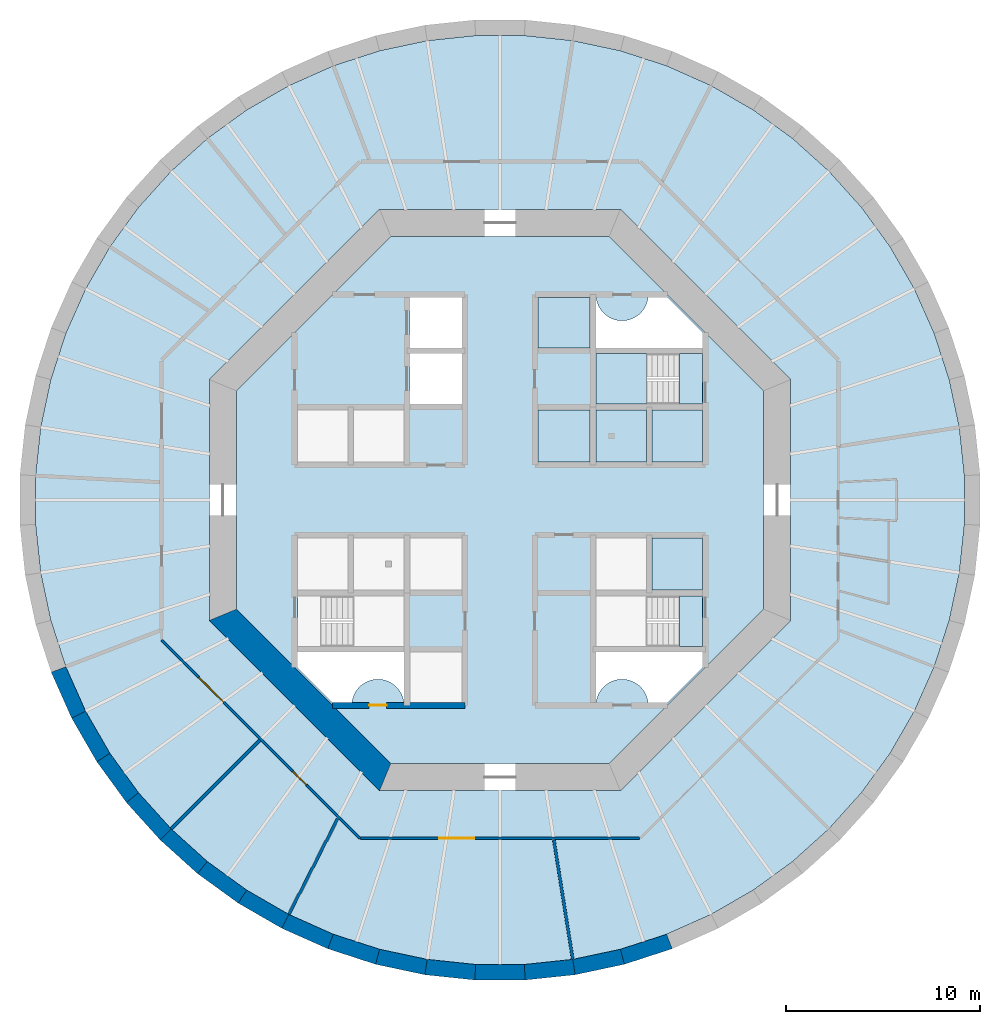
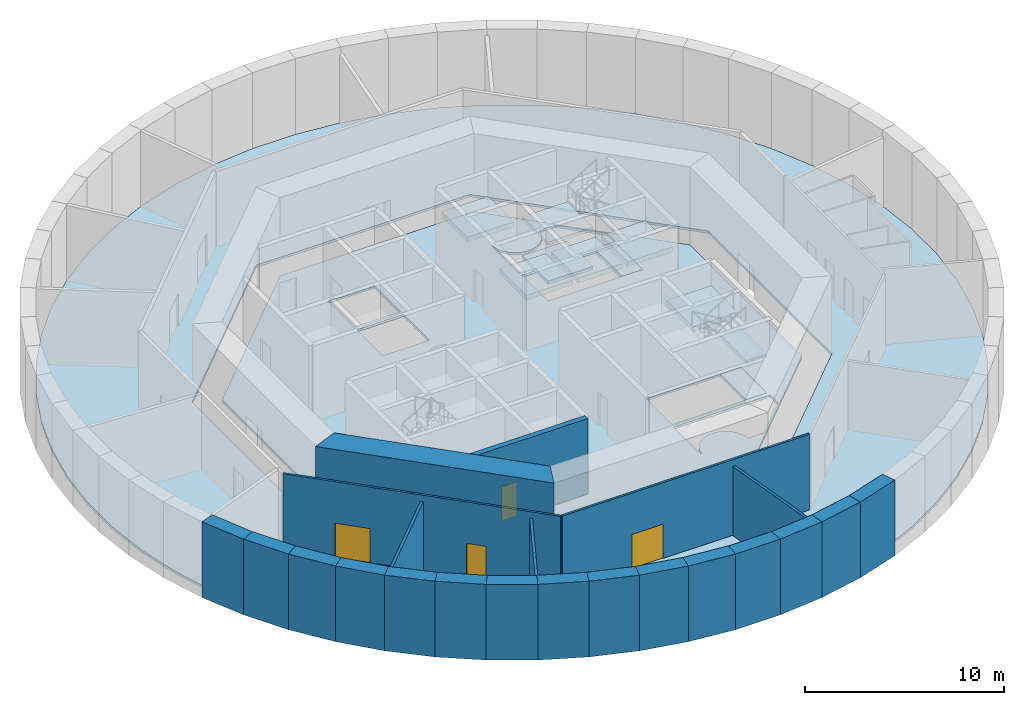
# One storey, part 2 of 7: 22 walls, 13 slabs, 4 doors, 4 openings, 2 elements without a shape of their own.
"""IFC4 building model written with IfcOpenShell, lengths in metres."""

from ifc_helpers import new_model, si_unit, direction, frame, frame_2d, origin, place, context, subcontext, project, spatial, polyline, rectangle, outline, extrude, material, layer, layer_set, type_object, element, fill, aggregate, save


model = new_model("IFC4")

# Units and contexts
model_context = context("Model", 3, precision=1e-05, world=origin(), true_north=direction((0.0, 1.0)))
body_context = subcontext(model_context, "Body", "Model", "MODEL_VIEW")
ifc_project = project(units=[si_unit("LENGTHUNIT", "METRE"), si_unit("AREAUNIT", "SQUARE_METRE"), si_unit("VOLUMEUNIT", "CUBIC_METRE"), si_unit("PLANEANGLEUNIT", "RADIAN"), si_unit("MASSUNIT", "GRAM", prefix="KILO")], contexts=[model_context])

# Site, building, storey
site_placement = place(None, origin())
site = spatial("IfcSite", under=ifc_project, at=site_placement, CompositionType="ELEMENT")
building_placement = place(site_placement, origin())
building = spatial("IfcBuilding", under=site, at=building_placement, Name="Entoto Ring Tower", CompositionType="ELEMENT")
storey_placement = place(building_placement, frame((0.0, 0.0, -4.800048828125)))
storey = spatial("IfcBuildingStorey", under=building, at=storey_placement, Name="B1", CompositionType="ELEMENT", Elevation=-4.800048828125)

# Slabs
ifc_material_1 = material(Name="Concrete C30/37", Category="concrete")
ifc_layer_1 = layer(ifc_material_1, 0.14990234375)
ifc_layer_set_1 = layer_set([ifc_layer_1], Name="Concrete C30/37")
slab_type_1 = type_object("IfcSlabType", Name="Composite floor slab 150 mm", PredefinedType="FLOOR", material=ifc_layer_set_1)
slab_1_placement = place(storey_placement, frame((0.0, 0.0, -0.14990234375)))
element("IfcSlab", 1, at=slab_1_placement, inside=storey, type_object=slab_type_1, Name="Floor slab B1", PredefinedType="FLOOR", context=body_context, shape_type="SweptSolid", body=[
    extrude(outline(polyline([(113.70458984375, 83.75439453125), (113.18212890625, 86.211669921875), (112.406005859375, 88.600830078125), (111.38427734375, 90.895751953125), (110.128173828125, 93.0712890625), (108.651611328125, 95.103759765625), (106.970458984375, 96.970458984375), (105.103759765625, 98.651611328125), (103.0712890625, 100.128173828125), (100.895751953125, 101.38427734375), (98.600830078125, 102.406005859375), (96.211669921875, 103.18212890625), (93.75439453125, 103.70458984375), (91.256103515625, 103.967041015625), (88.743896484375, 103.967041015625), (86.24560546875, 103.70458984375), (83.788330078125, 103.18212890625), (81.399169921875, 102.406005859375), (79.104248046875, 101.38427734375), (76.9287109375, 100.128173828125), (74.896240234375, 98.651611328125), (73.029541015625, 96.970458984375), (71.348388671875, 95.103759765625), (69.871826171875, 93.0712890625), (68.61572265625, 90.895751953125), (67.593994140625, 88.600830078125), (66.81787109375, 86.211669921875), (66.29541015625, 83.75439453125), (66.032958984375, 81.256103515625), (66.032958984375, 78.743896484375), (66.29541015625, 76.24560546875), (66.81787109375, 73.788330078125), (67.593994140625, 71.399169921875), (68.61572265625, 69.104248046875), (69.871826171875, 66.9287109375), (71.348388671875, 64.896240234375), (73.029541015625, 63.029541015625), (74.896240234375, 61.348388671875), (76.9287109375, 59.871826171875), (79.104248046875, 58.61572265625), (81.399169921875, 57.593994140625), (83.788330078125, 56.81787109375), (86.24560546875, 56.29541015625), (88.743896484375, 56.032958984375), (91.256103515625, 56.032958984375), (93.75439453125, 56.29541015625), (96.211669921875, 56.81787109375), (98.600830078125, 57.593994140625), (100.895751953125, 58.61572265625), (103.0712890625, 59.871826171875), (105.103759765625, 61.348388671875), (106.970458984375, 63.029541015625), (108.651611328125, 64.896240234375), (110.128173828125, 66.9287109375), (111.38427734375, 69.104248046875), (112.406005859375, 71.399169921875), (113.18212890625, 73.788330078125), (113.70458984375, 76.24560546875), (113.967041015625, 78.743896484375), (113.967041015625, 81.256103515625), (113.70458984375, 83.75439453125)]), holes=[polyline([(105.0, 73.786865234375), (105.0, 86.213134765625), (96.213134765625, 95.0), (83.786865234375, 95.0), (75.0, 86.213134765625), (75.0, 73.786865234375), (83.786865234375, 65.0), (96.213134765625, 65.0), (105.0, 73.786865234375)])]), origin(), (0.0, 0.0, 1.0), 0.14990234375),
])
ifc_material_2 = material(Name="Concrete C40/50", Category="concrete")
ifc_layer_2 = layer(ifc_material_2, 0.14990234375)
ifc_layer_set_2 = layer_set([ifc_layer_2], Name="Concrete C40/50")
slab_type_2 = type_object("IfcSlabType", Name="Core floor slab 150 mm reinforced concrete C40/50", PredefinedType="FLOOR", material=ifc_layer_set_2)
slab_2_placement = place(storey_placement, frame((0.0, 0.0, -0.14990234375)))
element("IfcSlab", 2, at=slab_2_placement, inside=storey, type_object=slab_type_2, Name="Core floor B1", PredefinedType="FLOOR", context=body_context, shape_type="SweptSolid", body=[
    extrude(outline(polyline([(103.60009765625, 74.36669921875), (103.60009765625, 85.63330078125), (95.63330078125, 93.60009765625), (84.36669921875, 93.60009765625), (76.39990234375, 85.63330078125), (76.39990234375, 74.36669921875), (84.36669921875, 66.39990234375), (95.63330078125, 66.39990234375), (103.60009765625, 74.36669921875)]), holes=[polyline([(100.449951171875, 84.949951171875), (100.449951171875, 87.550048828125), (94.949951171875, 87.550048828125), (94.949951171875, 84.949951171875), (100.449951171875, 84.949951171875)]), polyline([(85.050048828125, 72.449951171875), (85.050048828125, 75.050048828125), (79.550048828125, 75.050048828125), (79.550048828125, 72.449951171875), (85.050048828125, 72.449951171875)]), polyline([(100.449951171875, 72.449951171875), (100.449951171875, 75.050048828125), (94.949951171875, 75.050048828125), (94.949951171875, 72.449951171875), (100.449951171875, 72.449951171875)]), polyline([(85.35009765625, 84.949951171875), (88.050048828125, 84.949951171875), (88.050048828125, 87.550048828125), (85.35009765625, 87.550048828125), (85.35009765625, 84.949951171875)]), polyline([(85.35009765625, 87.85009765625), (88.050048828125, 87.85009765625), (88.050048828125, 90.449951171875), (85.35009765625, 90.449951171875), (85.35009765625, 87.85009765625)]), polyline([(94.89990234375, 90.5), (94.89990234375, 87.800048828125), (100.5, 87.800048828125), (100.5, 88.591796875), (98.591796875, 90.5), (97.64501953125, 90.5), (97.6435546875, 90.4677734375), (97.6240234375, 90.336669921875), (97.591796875, 90.2080078125), (97.547119140625, 90.08349609375), (97.490478515625, 89.963623046875), (97.422607421875, 89.85009765625), (97.343505859375, 89.74365234375), (97.254638671875, 89.6455078125), (97.156494140625, 89.556396484375), (97.050048828125, 89.4775390625), (96.936279296875, 89.409423828125), (96.816650390625, 89.352783203125), (96.69189453125, 89.30810546875), (96.5634765625, 89.27587890625), (96.432373046875, 89.256591796875), (96.300048828125, 89.25), (96.167724609375, 89.256591796875), (96.03662109375, 89.27587890625), (95.908203125, 89.30810546875), (95.783447265625, 89.352783203125), (95.66357421875, 89.409423828125), (95.550048828125, 89.4775390625), (95.443603515625, 89.556396484375), (95.345458984375, 89.6455078125), (95.25634765625, 89.74365234375), (95.177490234375, 89.85009765625), (95.109375, 89.963623046875), (95.052734375, 90.08349609375), (95.008056640625, 90.2080078125), (94.975830078125, 90.336669921875), (94.95654296875, 90.4677734375), (94.954833984375, 90.5), (94.89990234375, 90.5)]), polyline([(79.5, 71.408203125), (81.408203125, 69.5), (82.35498046875, 69.5), (82.3564453125, 69.5322265625), (82.3759765625, 69.663330078125), (82.408203125, 69.7919921875), (82.452880859375, 69.91650390625), (82.509521484375, 70.036376953125), (82.577392578125, 70.14990234375), (82.656494140625, 70.25634765625), (82.745361328125, 70.3544921875), (82.843505859375, 70.443603515625), (82.949951171875, 70.5224609375), (83.063720703125, 70.590576171875), (83.183349609375, 70.647216796875), (83.30810546875, 70.69189453125), (83.4365234375, 70.72412109375), (83.567626953125, 70.743408203125), (83.699951171875, 70.75), (83.832275390625, 70.743408203125), (83.96337890625, 70.72412109375), (84.091796875, 70.69189453125), (84.216552734375, 70.647216796875), (84.33642578125, 70.590576171875), (84.449951171875, 70.5224609375), (84.556396484375, 70.443603515625), (84.654541015625, 70.3544921875), (84.74365234375, 70.25634765625), (84.822509765625, 70.14990234375), (84.890625, 70.036376953125), (84.947265625, 69.91650390625), (84.991943359375, 69.7919921875), (85.024169921875, 69.663330078125), (85.04345703125, 69.5322265625), (85.045166015625, 69.5), (85.10009765625, 69.5), (85.10009765625, 72.199951171875), (79.5, 72.199951171875), (79.5, 71.408203125)]), polyline([(97.64501953125, 69.5), (98.591796875, 69.5), (100.5, 71.408203125), (100.5, 72.199951171875), (94.89990234375, 72.199951171875), (94.89990234375, 69.5), (94.954833984375, 69.5), (94.95654296875, 69.5322265625), (94.975830078125, 69.663330078125), (95.008056640625, 69.7919921875), (95.052734375, 69.91650390625), (95.109375, 70.036376953125), (95.177490234375, 70.14990234375), (95.25634765625, 70.25634765625), (95.345458984375, 70.3544921875), (95.443603515625, 70.443603515625), (95.550048828125, 70.5224609375), (95.66357421875, 70.590576171875), (95.783447265625, 70.647216796875), (95.908203125, 70.69189453125), (96.03662109375, 70.72412109375), (96.167724609375, 70.743408203125), (96.300048828125, 70.75), (96.432373046875, 70.743408203125), (96.5634765625, 70.72412109375), (96.69189453125, 70.69189453125), (96.816650390625, 70.647216796875), (96.936279296875, 70.590576171875), (97.050048828125, 70.5224609375), (97.156494140625, 70.443603515625), (97.254638671875, 70.3544921875), (97.343505859375, 70.25634765625), (97.422607421875, 70.14990234375), (97.490478515625, 70.036376953125), (97.547119140625, 69.91650390625), (97.591796875, 69.7919921875), (97.6240234375, 69.663330078125), (97.6435546875, 69.5322265625), (97.64501953125, 69.5)])]), origin(), (0.0, 0.0, 1.0), 0.14990234375),
])
ifc_material_3 = material(Name="Concrete C40/50", Category="concrete")
ifc_layer_3 = layer(ifc_material_3, 0.300048828125)
ifc_layer_set_3 = layer_set([ifc_layer_3], Name="Concrete C40/50")
slab_type_3 = type_object("IfcSlabType", Name="Lift pit floor 300 mm reinforced concrete", PredefinedType="FLOOR", material=ifc_layer_set_3)
slab_3_placement = place(storey_placement, frame((0.0, 0.0, 2.900146484375)))
element("IfcSlab", 3, at=slab_3_placement, inside=storey, type_object=slab_type_3, Name="Pit floor LB1-LR", PredefinedType="FLOOR", context=body_context, shape_type="SweptSolid", body=[
    extrude(outline(polyline([(97.550048828125, 81.949951171875), (97.550048828125, 84.64990234375), (94.949951171875, 84.64990234375), (94.949951171875, 81.949951171875), (97.550048828125, 81.949951171875)])), origin(), (0.0, 0.0, 1.0), 0.2998046875),
])
slab_4_placement = place(storey_placement, frame((0.0, 0.0, 2.900146484375)))
element("IfcSlab", 4, at=slab_4_placement, inside=storey, type_object=slab_type_3, Name="Pit floor LB2-LR", PredefinedType="FLOOR", context=body_context, shape_type="SweptSolid", body=[
    extrude(outline(polyline([(100.449951171875, 81.949951171875), (100.449951171875, 84.64990234375), (97.85009765625, 84.64990234375), (97.85009765625, 81.949951171875), (100.449951171875, 81.949951171875)])), origin(), (0.0, 0.0, 1.0), 0.2998046875),
])
slab_5_placement = place(storey_placement, frame((0.0, 0.0, 2.900146484375)))
element("IfcSlab", 5, at=slab_5_placement, inside=storey, type_object=slab_type_3, Name="Pit floor LB5-LR", PredefinedType="FLOOR", context=body_context, shape_type="SweptSolid", body=[
    extrude(outline(polyline([(100.449951171875, 75.35009765625), (100.449951171875, 78.050048828125), (97.85009765625, 78.050048828125), (97.85009765625, 75.35009765625), (100.449951171875, 75.35009765625)])), origin(), (0.0, 0.0, 1.0), 0.2998046875),
])
slab_6_placement = place(storey_placement, frame((0.0, 0.0, 2.900146484375)))
element("IfcSlab", 6, at=slab_6_placement, inside=storey, type_object=slab_type_3, Name="Pit floor SH3", PredefinedType="FLOOR", context=body_context, shape_type="SweptSolid", body=[
    extrude(outline(polyline([(94.64990234375, 87.85009765625), (94.64990234375, 90.449951171875), (91.949951171875, 90.449951171875), (91.949951171875, 87.85009765625), (94.64990234375, 87.85009765625)])), origin(), (0.0, 0.0, 1.0), 0.2998046875),
])
slab_7_placement = place(storey_placement, frame((0.0, 0.0, 2.900146484375)))
element("IfcSlab", 7, at=slab_7_placement, inside=storey, type_object=slab_type_3, Name="Pit floor OB1", PredefinedType="FLOOR", context=body_context, shape_type="SweptSolid", body=[
    extrude(outline(polyline([(94.64990234375, 81.949951171875), (94.64990234375, 84.64990234375), (91.949951171875, 84.64990234375), (91.949951171875, 81.949951171875), (94.64990234375, 81.949951171875)])), origin(), (0.0, 0.0, 1.0), 0.2998046875),
])

# Stair, slabs
ifc_material_4 = material(Name="Concrete C40/50", Category="concrete")
stair_type = type_object("IfcStairType", Name="Exit stair 1200 mm dog-leg reinforced concrete", PredefinedType="HALF_TURN_STAIR", material=ifc_material_4)
stair_1_placement = place(storey_placement, origin())
stair_1 = element("IfcStair", 8, at=stair_1_placement, inside=storey, type_object=stair_type, Name="Exit stair 1", PredefinedType="HALF_TURN_STAIR")
ifc_material_5 = material(Name="Concrete C40/50", Category="concrete")
ifc_layer_4 = layer(ifc_material_5, 0.199951171875)
ifc_layer_set_4 = layer_set([ifc_layer_4], Name="Concrete C40/50")
slab_type_4 = type_object("IfcSlabType", Name="Stair landing 200 mm reinforced concrete", PredefinedType="LANDING", material=ifc_layer_set_4)
slab_8_placement = place(storey_placement, frame((0.0, 0.0, -0.199951171875)))
slab_8 = element("IfcSlab", 9, at=slab_8_placement, type_object=slab_type_4, Name="ST1 landing 1", PredefinedType="LANDING", context=body_context, shape_type="SweptSolid", body=[
    extrude(outline(polyline([(100.449951171875, 84.949951171875), (100.449951171875, 87.550048828125), (99.25, 87.550048828125), (99.25, 84.949951171875), (100.449951171875, 84.949951171875)])), origin(), (0.0, 0.0, 1.0), 0.199951171875),
])
slab_9_placement = place(storey_placement, frame((0.0, 0.0, 1.0)))
slab_9 = element("IfcSlab", 10, at=slab_9_placement, type_object=slab_type_4, Name="ST1 landing 2", PredefinedType="LANDING", context=body_context, shape_type="SweptSolid", body=[
    extrude(outline(polyline([(94.949951171875, 84.949951171875), (97.570068359375, 84.949951171875), (97.570068359375, 87.550048828125), (94.949951171875, 87.550048828125), (94.949951171875, 84.949951171875)])), origin(), (0.0, 0.0, 1.0), 0.199951171875),
])
slab_10_placement = place(storey_placement, frame((0.0, 0.0, 2.199951171875)))
slab_10 = element("IfcSlab", 11, at=slab_10_placement, type_object=slab_type_4, Name="ST1 landing 3", PredefinedType="LANDING", context=body_context, shape_type="SweptSolid", body=[
    extrude(outline(polyline([(99.25, 84.949951171875), (100.449951171875, 84.949951171875), (100.449951171875, 87.550048828125), (99.25, 87.550048828125), (99.25, 84.949951171875)])), origin(), (0.0, 0.0, 1.0), 0.2001953125),
])
slab_11_placement = place(storey_placement, frame((0.0, 0.0, 3.400146484375)))
slab_11 = element("IfcSlab", 12, at=slab_11_placement, type_object=slab_type_4, Name="ST1 landing 4", PredefinedType="LANDING", context=body_context, shape_type="SweptSolid", body=[
    extrude(outline(polyline([(94.949951171875, 84.949951171875), (97.570068359375, 84.949951171875), (97.570068359375, 87.550048828125), (94.949951171875, 87.550048828125), (94.949951171875, 84.949951171875)])), origin(), (0.0, 0.0, 1.0), 0.199951171875),
])
aggregate(stair_1, [slab_8, slab_9, slab_10, slab_11])

stair_2_placement = place(storey_placement, origin())
stair_2 = element("IfcStair", 13, at=stair_2_placement, inside=storey, type_object=stair_type, Name="Exit stair 3", PredefinedType="HALF_TURN_STAIR")
slab_12_placement = place(storey_placement, frame((0.0, 0.0, -0.199951171875)))
slab_12 = element("IfcSlab", 14, at=slab_12_placement, type_object=slab_type_4, Name="ST3 landing 1", PredefinedType="LANDING", context=body_context, shape_type="SweptSolid", body=[
    extrude(outline(polyline([(100.449951171875, 72.449951171875), (100.449951171875, 75.050048828125), (99.25, 75.050048828125), (99.25, 72.449951171875), (100.449951171875, 72.449951171875)])), origin(), (0.0, 0.0, 1.0), 0.199951171875),
])
slab_13_placement = place(storey_placement, frame((0.0, 0.0, 2.199951171875)))
slab_13 = element("IfcSlab", 15, at=slab_13_placement, type_object=slab_type_4, Name="ST3 landing 3", PredefinedType="LANDING", context=body_context, shape_type="SweptSolid", body=[
    extrude(outline(polyline([(99.25, 72.449951171875), (100.449951171875, 72.449951171875), (100.449951171875, 75.050048828125), (99.25, 75.050048828125), (99.25, 72.449951171875)])), origin(), (0.0, 0.0, 1.0), 0.2001953125),
])
aggregate(stair_2, [slab_12, slab_13])

# Wall, opening, door
ifc_material_6 = material(Name="Concrete C40/50", Category="concrete")
ifc_layer_5 = layer(ifc_material_6, 0.300048828125)
ifc_layer_set_5 = layer_set([ifc_layer_5], Name="Concrete C40/50")
wall_type_1 = type_object("IfcWallType", Name="Core enclosure wall 300 mm reinforced concrete", PredefinedType="SOLIDWALL", material=ifc_layer_set_5)
wall_1_placement = place(storey_placement, frame((81.36669921875, 69.39990234375, 0.0), z_axis=(0.0, 0.0, 1.0), x_axis=(1.0, 0.0, 0.0)))
wall_1 = element("IfcWall", 16, at=wall_1_placement, inside=storey, type_object=wall_type_1, Name="wall-B1-019", PredefinedType="SOLIDWALL", context=body_context, shape_type="SweptSolid", body=[
    extrude(rectangle(XDim=6.833251953125, YDim=0.300048828125, at=frame_2d((3.41650390625, 0.0))), origin(), (0.0, 0.0, 1.0), 4.650146484375),
])
opening_1_placement = place(wall_1_placement, frame((1.88330078125, 0.0, 0.0)))
opening_1 = element("IfcOpeningElement", 17, at=opening_1_placement, cuts=wall_1, Name="Opening K-49", PredefinedType="OPENING", context=body_context, shape_type="SweptSolid", body=[
    extrude(rectangle(XDim=0.89990234375, YDim=2.10009765625, at=frame_2d((0.449951171875, 1.050048828125))), frame((0.0, 0.16015625, 0.0), z_axis=(0.0, -1.0, 0.0), x_axis=(1.0, 0.0, 0.0)), (0.0, 0.0, 1.0), 0.320068359375),
])
ifc_material_7 = material(Name="Steel door leaf, fire rated", Category="steel")
ifc_layer_6 = layer(ifc_material_7, 0.050048828125)
ifc_layer_set_6 = layer_set([ifc_layer_6], Name="Steel door leaf, fire rated")
door_type_1 = type_object("IfcDoorType", Name="Riser door FD60 900 x 2100 single leaf", OperationType="NOTDEFINED", PredefinedType="DOOR", material=ifc_layer_set_6)
door_1_placement = place(opening_1_placement, origin())
door_1 = element("IfcDoor", 18, at=door_1_placement, inside=storey, type_object=door_type_1, Name="Door K-49", OperationType="SINGLE_SWING_RIGHT", OverallHeight=2.10009765625, OverallWidth=0.89990234375, PredefinedType="DOOR", context=body_context, shape_type="SweptSolid", body=[
    extrude(rectangle(XDim=0.89990234375, YDim=2.10009765625, at=frame_2d((0.449951171875, 1.050048828125))), frame((0.0, 0.02490234375, 0.0), z_axis=(0.0, -1.0, 0.0), x_axis=(1.0, 0.0, 0.0)), (0.0, 0.0, 1.0), 0.050048828125),
])
fill(opening_1, door_1)

# Wall
ifc_material_8 = material(Name="Concrete C60/75", Category="concrete")
ifc_layer_7 = layer(ifc_material_8, 1.39990234375)
ifc_layer_set_7 = layer_set([ifc_layer_7], Name="Concrete C60/75")
wall_type_2 = type_object("IfcWallType", Name="Core shear wall 1400 mm reinforced concrete C60/75", PredefinedType="SHEAR", material=ifc_layer_set_7)
wall_2_placement = place(storey_placement, frame((75.699951171875, 74.07666015625, 0.0), z_axis=(0.0, 0.0, 1.0), x_axis=(0.707106781187, -0.707106781187, 0.0)))
element("IfcWall", 19, at=wall_2_placement, inside=storey, type_object=wall_type_2, Name="wall-B1-core-5", PredefinedType="SHEAR", context=body_context, shape_type="SweptSolid", body=[
    extrude(outline(polyline([(-0.2900390625, -0.699951171875), (12.136474609375, -0.699951171875), (11.556396484375, 0.699951171875), (0.2900390625, 0.699951171875), (-0.2900390625, -0.699951171875)])), origin(), (0.0, 0.0, 1.0), 4.800048828125),
])

# Wall, openings, doors
ifc_material_9 = material(Name="Fire-resisting plasterboard on steel studs", Category="steel")
ifc_layer_8 = layer(ifc_material_9, 0.125)
ifc_layer_set_8 = layer_set([ifc_layer_8], Name="Fire-resisting plasterboard on steel studs")
wall_type_3 = type_object("IfcWallType", Name="Corridor wall 125 mm one-hour plasterboard on steel studs", PredefinedType="PARTITIONING", material=ifc_layer_set_8)
wall_3_placement = place(storey_placement, frame((82.766845703125, 62.53759765625, 0.0), z_axis=(0.0, 0.0, 1.0), x_axis=(-0.707106781187, 0.707106781187, 0.0)))
wall_3 = element("IfcWall", 20, at=wall_3_placement, inside=storey, type_object=wall_type_3, Name="partition-B1-001", PredefinedType="PARTITIONING", context=body_context, shape_type="SweptSolid", body=[
    extrude(rectangle(XDim=14.46630859375, YDim=0.125, at=frame_2d((7.233154296875, 0.0))), origin(), (0.0, 0.0, 1.0), 4.650146484375),
])
opening_2_placement = place(wall_3_placement, frame((9.94970703125, 0.0, 0.0)))
opening_2 = element("IfcOpeningElement", 21, at=opening_2_placement, cuts=wall_3, Name="Opening B01-D08", PredefinedType="OPENING", context=body_context, shape_type="SweptSolid", body=[
    extrude(rectangle(XDim=1.800048828125, YDim=2.10009765625, at=frame_2d((0.89990234375, 1.050048828125))), frame((0.0, 0.072509765625, 0.0), z_axis=(0.0, -1.0, 0.0), x_axis=(1.0, 0.0, 0.0)), (0.0, 0.0, 1.0), 0.14501953125),
])
opening_3_placement = place(wall_3_placement, frame((3.896240234375, 0.0, 0.0)))
opening_3 = element("IfcOpeningElement", 22, at=opening_3_placement, cuts=wall_3, Name="Opening B01-D09", PredefinedType="OPENING", context=body_context, shape_type="SweptSolid", body=[
    extrude(rectangle(XDim=1.0, YDim=2.10009765625, at=frame_2d((0.5, 1.050048828125))), frame((0.0, 0.072509765625, 0.0), z_axis=(0.0, -1.0, 0.0), x_axis=(1.0, 0.0, 0.0)), (0.0, 0.0, 1.0), 0.14501953125),
])
ifc_material_10 = material(Name="Fire-resisting timber door set", Category="wood")
door_type_2 = type_object("IfcDoorType", Name="Door 1000 x 2100 single leaf FD30S fire door", OperationType="NOTDEFINED", PredefinedType="DOOR", material=ifc_material_10)
door_2_placement = place(opening_3_placement, origin())
door_2 = element("IfcDoor", 23, at=door_2_placement, inside=storey, type_object=door_type_2, Name="Door B01-D09", OperationType="SINGLE_SWING_RIGHT", OverallHeight=2.10009765625, OverallWidth=1.0, PredefinedType="DOOR", context=body_context, shape_type="SweptSolid", body=[
    extrude(rectangle(XDim=1.0, YDim=2.10009765625, at=frame_2d((0.5, 1.050048828125))), frame((0.0, 0.02490234375, 0.0), z_axis=(0.0, -1.0, 0.0), x_axis=(1.0, 0.0, 0.0)), (0.0, 0.0, 1.0), 0.050048828125),
])
fill(opening_3, door_2)
ifc_material_11 = material(Name="Fire-resisting timber door set", Category="wood")
door_type_3 = type_object("IfcDoorType", Name="Door 1800 x 2100 double leaf FD30S fire door", OperationType="DOUBLE_DOOR_SINGLE_SWING", PredefinedType="DOOR", material=ifc_material_11)
door_3_placement = place(opening_2_placement, origin())
door_3 = element("IfcDoor", 24, at=door_3_placement, inside=storey, type_object=door_type_3, Name="Door B01-D08", OperationType="DOUBLE_DOOR_SINGLE_SWING", OverallHeight=2.10009765625, OverallWidth=1.800048828125, PredefinedType="DOOR", context=body_context, shape_type="SweptSolid", body=[
    extrude(rectangle(XDim=1.800048828125, YDim=2.10009765625, at=frame_2d((0.89990234375, 1.050048828125))), frame((0.0, 0.02490234375, 0.0), z_axis=(0.0, -1.0, 0.0), x_axis=(1.0, 0.0, 0.0)), (0.0, 0.0, 1.0), 0.050048828125),
])
fill(opening_2, door_3)

# Wall, opening, door
wall_4_placement = place(storey_placement, frame((82.810791015625, 62.53759765625, 0.0), z_axis=(0.0, 0.0, 1.0), x_axis=(1.0, 0.0, 0.0)))
wall_4 = element("IfcWall", 25, at=wall_4_placement, inside=storey, type_object=wall_type_3, Name="partition-B1-003", PredefinedType="PARTITIONING", context=body_context, shape_type="SweptSolid", body=[
    extrude(rectangle(XDim=14.37841796875, YDim=0.125, at=frame_2d((7.189208984375, 0.0))), origin(), (0.0, 0.0, 1.0), 4.650146484375),
])
opening_4_placement = place(wall_4_placement, frame((4.0556640625, 0.0, 0.0)))
opening_4 = element("IfcOpeningElement", 26, at=opening_4_placement, cuts=wall_4, Name="Opening B01-D10", PredefinedType="OPENING", context=body_context, shape_type="SweptSolid", body=[
    extrude(rectangle(XDim=1.800048828125, YDim=2.10009765625, at=frame_2d((0.89990234375, 1.050048828125))), frame((0.0, 0.072509765625, 0.0), z_axis=(0.0, -1.0, 0.0), x_axis=(1.0, 0.0, 0.0)), (0.0, 0.0, 1.0), 0.14501953125),
])
door_4_placement = place(opening_4_placement, frame((1.800048828125, 0.0, 0.0), z_axis=(0.0, 0.0, 1.0), x_axis=(-1.0, 0.0, 0.0)))
door_4 = element("IfcDoor", 27, at=door_4_placement, inside=storey, type_object=door_type_3, Name="Door B01-D10", OperationType="DOUBLE_DOOR_SINGLE_SWING", OverallHeight=2.10009765625, OverallWidth=1.800048828125, PredefinedType="DOOR", context=body_context, shape_type="SweptSolid", body=[
    extrude(rectangle(XDim=1.800048828125, YDim=2.10009765625, at=frame_2d((0.89990234375, 1.050048828125))), frame((0.0, 0.02490234375, 0.0), z_axis=(0.0, -1.0, 0.0), x_axis=(1.0, 0.0, 0.0)), (0.0, 0.0, 1.0), 0.050048828125),
])
fill(opening_4, door_4)

# Walls
ifc_material_12 = material(Name="Fire-resisting acoustic plasterboard on steel studs", Category="steel")
ifc_layer_9 = layer(ifc_material_12, 0.14990234375)
ifc_layer_set_9 = layer_set([ifc_layer_9], Name="Fire-resisting acoustic plasterboard on steel studs")
wall_type_4 = type_object("IfcWallType", Name="Party wall 150 mm one-hour acoustic plasterboard on steel studs, 4250 mm high", PredefinedType="PARTITIONING", material=ifc_layer_set_9)
wall_5_placement = place(storey_placement, frame((73.032958984375, 63.032958984375, 0.0), z_axis=(0.0, 0.0, 1.0), x_axis=(0.707106781187, 0.707106781187, 0.0)))
element("IfcWall", 28, at=wall_5_placement, inside=storey, type_object=wall_type_4, Name="partition-B1-006", PredefinedType="PARTITIONING", context=body_context, shape_type="SweptSolid", body=[
    extrude(rectangle(XDim=6.469970703125, YDim=0.14990234375, at=frame_2d((3.23486328125, 0.0))), origin(), (0.0, 0.0, 1.0), 4.25),
])
wall_6_placement = place(storey_placement, frame((93.753662109375, 56.30029296875, 0.0), z_axis=(0.0, 0.0, 1.0), x_axis=(-0.156424662984, 0.987689893038, 0.0)))
element("IfcWall", 29, at=wall_6_placement, inside=storey, type_object=wall_type_4, Name="partition-B1-008", PredefinedType="PARTITIONING", context=body_context, shape_type="SweptSolid", body=[
    extrude(rectangle(XDim=6.239990234375, YDim=0.14990234375, at=frame_2d((3.1201171875, 0.0))), origin(), (0.0, 0.0, 1.0), 4.25),
])
wall_7_placement = place(storey_placement, frame((79.1064453125, 58.620361328125, 0.0), z_axis=(0.0, 0.0, 1.0), x_axis=(0.453982513934, 0.891010593115, 0.0)))
element("IfcWall", 30, at=wall_7_placement, inside=storey, type_object=wall_type_4, Name="partition-B1-009", PredefinedType="PARTITIONING", context=body_context, shape_type="SweptSolid", body=[
    extrude(rectangle(XDim=5.5439453125, YDim=0.14990234375, at=frame_2d((2.77197265625, 0.0))), origin(), (0.0, 0.0, 1.0), 4.25),
])
ifc_material_13 = material(Name="Concrete C40/50", Category="concrete")
ifc_layer_10 = layer(ifc_material_13, 0.800048828125)
ifc_layer_set_10 = layer_set([ifc_layer_10], Name="Concrete C40/50")
wall_type_5 = type_object("IfcWallType", Name="Retaining wall 800 mm upper basement", PredefinedType="SOLIDWALL", material=ifc_layer_set_10)
for number, where, z_axis, x_axis, name in (
    (31, (67.22021484375, 71.255615234375, 0.0), (0.0, 0.0, 1.0), (0.406732610778, -0.913547252927, 0.0), "Retaining wall B1 33"),
    (32, (68.259033203125, 68.92236328125, 0.0), (0.0, 0.0, 1.0), (0.499943114462, -0.866058244174, 0.0), "Retaining wall B1 34"),
    (33, (69.535888671875, 66.71044921875, 0.0), (0.0, 0.0, 1.0), (0.587802181756, -0.809004694129, 0.0), "Retaining wall B1 35"),
):
    element("IfcWall", number, at=place(storey_placement, frame(where, z_axis=z_axis, x_axis=x_axis)), inside=storey, type_object=wall_type_5, Name=name, PredefinedType="SOLIDWALL", context=body_context, shape_type="SweptSolid", body=[
        extrude(outline(polyline([(-0.02099609375, -0.39990234375), (2.574951171875, -0.39990234375), (2.532958984375, 0.39990234375), (0.02099609375, 0.39990234375), (-0.02099609375, -0.39990234375)])), origin(), (0.0, 0.0, 1.0), 4.650146484375),
    ])
for number, where, z_axis, x_axis, name in (
    (34, (71.037109375, 64.644287109375, 0.0), (0.0, 0.0, 1.0), (0.669096744895, -0.74317531308, 0.0), "Retaining wall B1 36"),
    (35, (72.74609375, 62.74609375, 0.0), (0.0, 0.0, 1.0), (0.74317531308, -0.669096744895, 0.0), "Retaining wall B1 37"),
):
    element("IfcWall", number, at=place(storey_placement, frame(where, z_axis=z_axis, x_axis=x_axis)), inside=storey, type_object=wall_type_5, Name=name, PredefinedType="SOLIDWALL", context=body_context, shape_type="SweptSolid", body=[
        extrude(outline(polyline([(-0.02099609375, -0.39990234375), (2.5751953125, -0.39990234375), (2.533203125, 0.39990234375), (0.02099609375, 0.39990234375), (-0.02099609375, -0.39990234375)])), origin(), (0.0, 0.0, 1.0), 4.650146484375),
    ])
for number, where, z_axis, x_axis, name in (
    (36, (74.644287109375, 61.037109375, 0.0), (0.0, 0.0, 1.0), (0.809004694129, -0.587802181756, 0.0), "Retaining wall B1 38"),
    (37, (76.71044921875, 59.535888671875, 0.0), (0.0, 0.0, 1.0), (0.866058244174, -0.499943114462, 0.0), "Retaining wall B1 39"),
    (38, (78.92236328125, 58.259033203125, 0.0), (0.0, 0.0, 1.0), (0.913547252927, -0.406732610778, 0.0), "Retaining wall B1 40"),
    (39, (81.255615234375, 57.22021484375, 0.0), (0.0, 0.0, 1.0), (0.951046010282, -0.30904932669, 0.0), "Retaining wall B1 41"),
):
    element("IfcWall", number, at=place(storey_placement, frame(where, z_axis=z_axis, x_axis=x_axis)), inside=storey, type_object=wall_type_5, Name=name, PredefinedType="SOLIDWALL", context=body_context, shape_type="SweptSolid", body=[
        extrude(outline(polyline([(-0.02099609375, -0.39990234375), (2.574951171875, -0.39990234375), (2.532958984375, 0.39990234375), (0.02099609375, 0.39990234375), (-0.02099609375, -0.39990234375)])), origin(), (0.0, 0.0, 1.0), 4.650146484375),
    ])
wall_8_placement = place(storey_placement, frame((83.6845703125, 56.430908203125, 0.0), z_axis=(0.0, 0.0, 1.0), x_axis=(0.97814937544, -0.207903341306, 0.0)))
element("IfcWall", 40, at=wall_8_placement, inside=storey, type_object=wall_type_5, Name="Retaining wall B1 42", PredefinedType="SOLIDWALL", context=body_context, shape_type="SweptSolid", body=[
    extrude(outline(polyline([(-0.02099609375, -0.39990234375), (2.5751953125, -0.39990234375), (2.533203125, 0.39990234375), (0.02099609375, 0.39990234375), (-0.02099609375, -0.39990234375)])), origin(), (0.0, 0.0, 1.0), 4.650146484375),
])
wall_9_placement = place(storey_placement, frame((86.182861328125, 55.89990234375, 0.0), z_axis=(0.0, 0.0, 1.0), x_axis=(0.994516970058, -0.104575313845, 0.0)))
element("IfcWall", 41, at=wall_9_placement, inside=storey, type_object=wall_type_5, Name="Retaining wall B1 43", PredefinedType="SOLIDWALL", context=body_context, shape_type="SweptSolid", body=[
    extrude(outline(polyline([(-0.02099609375, -0.39990234375), (2.574951171875, -0.39990234375), (2.532958984375, 0.39990234375), (0.02099609375, 0.39990234375), (-0.02099609375, -0.39990234375)])), origin(), (0.0, 0.0, 1.0), 4.650146484375),
])
wall_10_placement = place(storey_placement, frame((88.722900390625, 55.6328125, 0.0), z_axis=(0.0, 0.0, 1.0), x_axis=(1.0, 0.0, 0.0)))
element("IfcWall", 42, at=wall_10_placement, inside=storey, type_object=wall_type_5, Name="Retaining wall B1 44", PredefinedType="SOLIDWALL", context=body_context, shape_type="SweptSolid", body=[
    extrude(outline(polyline([(-0.02099609375, -0.39990234375), (2.5751953125, -0.39990234375), (2.533203125, 0.39990234375), (0.02099609375, 0.39990234375), (-0.02099609375, -0.39990234375)])), origin(), (0.0, 0.0, 1.0), 4.650146484375),
])
wall_11_placement = place(storey_placement, frame((91.277099609375, 55.6328125, 0.0), z_axis=(0.0, 0.0, 1.0), x_axis=(0.994516970058, 0.104575313845, 0.0)))
element("IfcWall", 43, at=wall_11_placement, inside=storey, type_object=wall_type_5, Name="Retaining wall B1 45", PredefinedType="SOLIDWALL", context=body_context, shape_type="SweptSolid", body=[
    extrude(outline(polyline([(-0.02099609375, -0.39990234375), (2.574951171875, -0.39990234375), (2.532958984375, 0.39990234375), (0.02099609375, 0.39990234375), (-0.02099609375, -0.39990234375)])), origin(), (0.0, 0.0, 1.0), 4.650146484375),
])
wall_12_placement = place(storey_placement, frame((93.817138671875, 55.89990234375, 0.0), z_axis=(0.0, 0.0, 1.0), x_axis=(0.97814937544, 0.207903341306, 0.0)))
element("IfcWall", 44, at=wall_12_placement, inside=storey, type_object=wall_type_5, Name="Retaining wall B1 46", PredefinedType="SOLIDWALL", context=body_context, shape_type="SweptSolid", body=[
    extrude(outline(polyline([(-0.02099609375, -0.39990234375), (2.5751953125, -0.39990234375), (2.533203125, 0.39990234375), (0.02099609375, 0.39990234375), (-0.02099609375, -0.39990234375)])), origin(), (0.0, 0.0, 1.0), 4.650146484375),
])
wall_13_placement = place(storey_placement, frame((96.3154296875, 56.430908203125, 0.0), z_axis=(0.0, 0.0, 1.0), x_axis=(0.951046010282, 0.30904932669, 0.0)))
element("IfcWall", 45, at=wall_13_placement, inside=storey, type_object=wall_type_5, Name="Retaining wall B1 47", PredefinedType="SOLIDWALL", context=body_context, shape_type="SweptSolid", body=[
    extrude(outline(polyline([(-0.02099609375, -0.39990234375), (2.574951171875, -0.39990234375), (2.532958984375, 0.39990234375), (0.02099609375, 0.39990234375), (-0.02099609375, -0.39990234375)])), origin(), (0.0, 0.0, 1.0), 4.650146484375),
])

save(model, "model.ifc")
